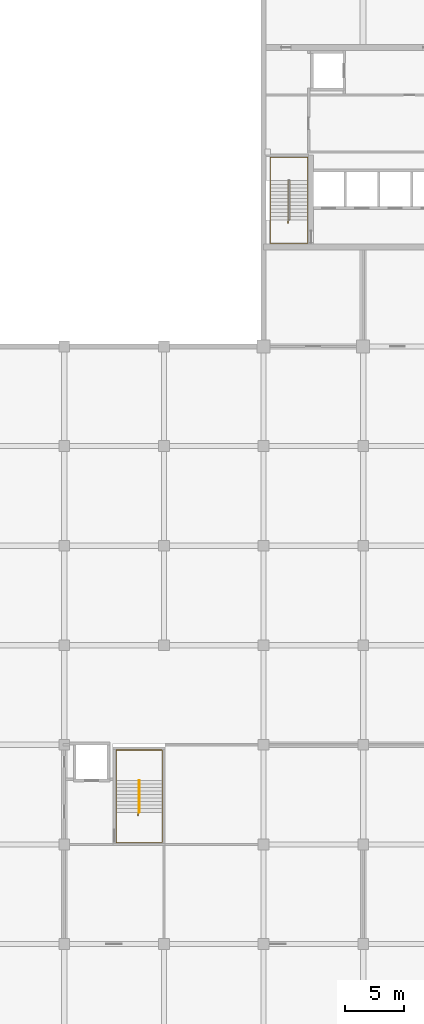
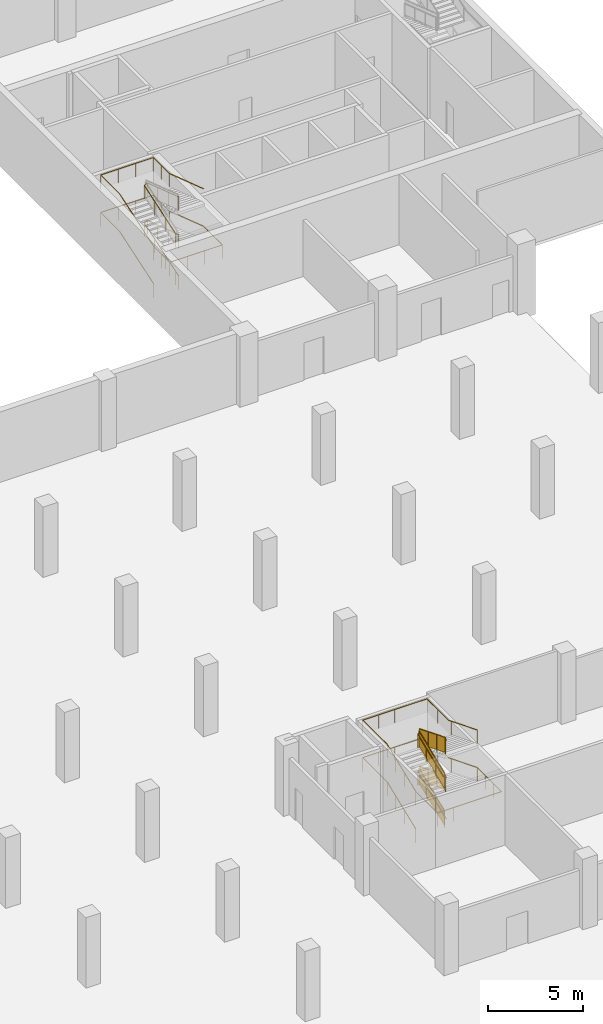
# One storey, part 11 of 13: 8 railings.
"""IFC4 building model written with IfcOpenShell, lengths in metres."""

from ifc_helpers import new_model, si_unit, direction, frame, origin, origin_2d, place, context, subcontext, project, spatial, polyline, circle, outline, extrude, material, type_object, element, save


model = new_model("IFC4")

# Units and contexts
model_context = context("Model", 3, precision=1e-05, world=origin(), true_north=direction((0.0, 1.0)))
body_context = subcontext(model_context, "Body", "Model", "MODEL_VIEW")
ifc_project = project(units=[si_unit("LENGTHUNIT", "METRE"), si_unit("AREAUNIT", "SQUARE_METRE"), si_unit("VOLUMEUNIT", "CUBIC_METRE"), si_unit("PLANEANGLEUNIT", "RADIAN"), si_unit("MASSUNIT", "GRAM", prefix="KILO")], contexts=[model_context])

# Site, building, storey
site_placement = place(None, origin())
site = spatial("IfcSite", under=ifc_project, at=site_placement, CompositionType="ELEMENT")
building_placement = place(site_placement, origin())
building = spatial("IfcBuilding", under=site, at=building_placement, Name="Rulbaag Community and Learning Centre", CompositionType="ELEMENT")
storey_placement = place(building_placement, frame((0.0, 0.0, -4.800048828125)))
storey = spatial("IfcBuildingStorey", under=building, at=storey_placement, Name="B1", CompositionType="ELEMENT", Elevation=-4.800048828125)

# Railings
ifc_material_1 = material(Name="Galvanised mild steel", Category="steel")
railing_type_1 = type_object("IfcRailingType", Name="GR-1100 GUARD 1100", PredefinedType="GUARDRAIL", material=ifc_material_1)
railing_1_placement = place(storey_placement, frame((132.280029296875, 44.71240234375, 0.1201171875)))
element("IfcRailing", 1, at=railing_1_placement, inside=storey, type_object=railing_type_1, Name="Guard SH3 B1 G", PredefinedType="GUARDRAIL", context=body_context, shape_type="SweptSolid", body=[
    extrude(circle(Radius=0.02490234375, at=origin_2d()), frame((0.0, 0.0, 1.0751953125), z_axis=(0.0, 0.928505636922, 0.371318303084), x_axis=(-1.0, 0.0, 0.0)), (0.0, 0.0, 1.0), 2.908203125),
    extrude(circle(Radius=0.02001953125, at=origin_2d()), origin(), (0.0, 0.0, 1.0), 1.050048828125),
    extrude(circle(Radius=0.02001953125, at=origin_2d()), frame((0.0, 0.900146484375, 0.35986328125)), (0.0, 0.0, 1.0), 1.050048828125),
    extrude(circle(Radius=0.02001953125, at=origin_2d()), frame((0.0, 1.800048828125, 0.719970703125)), (0.0, 0.0, 1.0), 1.050048828125),
    extrude(circle(Radius=0.02001953125, at=origin_2d()), frame((0.0, 2.7001953125, 1.079833984375)), (0.0, 0.0, 1.0), 1.050048828125),
    extrude(outline(polyline([(0.0, 0.0), (2.7001953125, 1.079833984375), (2.7001953125, 2.02978515625), (0.0, 0.949951171875), (0.0, 0.0)])), frame((-0.0048828125, 0.0, 0.10009765625), z_axis=(1.0, 0.0, 0.0), x_axis=(0.0, 1.0, 0.0)), (0.0, 0.0, 1.0), 0.010009765625),
])
railing_2_placement = place(storey_placement, frame((132.320068359375, 47.41259765625, 1.320068359375)))
element("IfcRailing", 2, at=railing_2_placement, inside=storey, type_object=railing_type_1, Name="Guard SH3 B1 G2", PredefinedType="GUARDRAIL", context=body_context, shape_type="SweptSolid", body=[
    extrude(circle(Radius=0.02490234375, at=origin_2d()), frame((0.0, 0.0, 1.0751953125), z_axis=(0.0, -0.928476690885, 0.371390676354), x_axis=(1.0, 0.0, 0.0)), (0.0, 0.0, 1.0), 2.908203125),
    extrude(circle(Radius=0.02001953125, at=origin_2d()), origin(), (0.0, 0.0, 1.0), 1.050048828125),
    extrude(circle(Radius=0.02001953125, at=origin_2d()), frame((0.0, -0.900146484375, 0.360107421875)), (0.0, 0.0, 1.0), 1.050048828125),
    extrude(circle(Radius=0.02001953125, at=origin_2d()), frame((0.0, -1.800048828125, 0.719970703125)), (0.0, 0.0, 1.0), 1.050048828125),
    extrude(circle(Radius=0.02001953125, at=origin_2d()), frame((0.0, -2.7001953125, 1.080078125)), (0.0, 0.0, 1.0), 1.050048828125),
    extrude(outline(polyline([(0.0, 0.0), (2.7001953125, 1.080078125), (2.7001953125, 2.030029296875), (0.0, 0.949951171875), (0.0, 0.0)])), frame((0.0048828125, 0.0, 0.10009765625), z_axis=(-1.0, 0.0, 0.0), x_axis=(0.0, -1.0, 0.0)), (0.0, 0.0, 1.0), 0.010009765625),
])
railing_3_placement = place(storey_placement, frame((132.280029296875, 44.71240234375, 2.52001953125)))
element("IfcRailing", 3, at=railing_3_placement, inside=storey, type_object=railing_type_1, Name="Guard SH3 B1 G3", PredefinedType="GUARDRAIL", context=body_context, shape_type="SweptSolid", body=[
    extrude(circle(Radius=0.02490234375, at=origin_2d()), frame((0.0, 0.0, 1.0751953125), z_axis=(0.0, 0.928476690885, 0.371390676354), x_axis=(-1.0, 0.0, 0.0)), (0.0, 0.0, 1.0), 2.908203125),
    extrude(circle(Radius=0.02001953125, at=origin_2d()), origin(), (0.0, 0.0, 1.0), 1.050048828125),
    extrude(circle(Radius=0.02001953125, at=origin_2d()), frame((0.0, 0.900146484375, 0.360107421875)), (0.0, 0.0, 1.0), 1.050048828125),
    extrude(circle(Radius=0.02001953125, at=origin_2d()), frame((0.0, 1.800048828125, 0.719970703125)), (0.0, 0.0, 1.0), 1.050048828125),
    extrude(circle(Radius=0.02001953125, at=origin_2d()), frame((0.0, 2.7001953125, 1.080078125)), (0.0, 0.0, 1.0), 1.050048828125),
    extrude(outline(polyline([(0.0, 0.0), (2.7001953125, 1.080078125), (2.7001953125, 2.030029296875), (0.0, 0.949951171875), (0.0, 0.0)])), frame((-0.0048828125, 0.0, 0.10009765625), z_axis=(1.0, 0.0, 0.0), x_axis=(0.0, 1.0, 0.0)), (0.0, 0.0, 1.0), 0.010009765625),
])
railing_4_placement = place(storey_placement, frame((132.320068359375, 47.41259765625, 3.719970703125)))
element("IfcRailing", 4, at=railing_4_placement, inside=storey, type_object=railing_type_1, Name="Guard SH3 B1 G4", PredefinedType="GUARDRAIL", context=body_context, shape_type="SweptSolid", body=[
    extrude(circle(Radius=0.02490234375, at=origin_2d()), frame((0.0, 0.0, 1.0751953125), z_axis=(0.0, -0.928476690885, 0.371390676354), x_axis=(1.0, 0.0, 0.0)), (0.0, 0.0, 1.0), 2.908203125),
    extrude(circle(Radius=0.02001953125, at=origin_2d()), origin(), (0.0, 0.0, 1.0), 1.050048828125),
    extrude(circle(Radius=0.02001953125, at=origin_2d()), frame((0.0, -0.900146484375, 0.360107421875)), (0.0, 0.0, 1.0), 1.050048828125),
    extrude(circle(Radius=0.02001953125, at=origin_2d()), frame((0.0, -1.800048828125, 0.719970703125)), (0.0, 0.0, 1.0), 1.050048828125),
    extrude(circle(Radius=0.02001953125, at=origin_2d()), frame((0.0, -2.7001953125, 1.080078125)), (0.0, 0.0, 1.0), 1.050048828125),
    extrude(outline(polyline([(0.0, 0.0), (2.7001953125, 1.080078125), (2.7001953125, 2.030029296875), (0.0, 0.949951171875), (0.0, 0.0)])), frame((0.0048828125, 0.0, 0.10009765625), z_axis=(-1.0, 0.0, 0.0), x_axis=(0.0, -1.0, 0.0)), (0.0, 0.0, 1.0), 0.010009765625),
])
ifc_material_2 = material(Name="Stainless steel grade 316", Category="steel")
railing_type_2 = type_object("IfcRailingType", Name="HR-900 HANDRAIL 900", PredefinedType="HANDRAIL", material=ifc_material_2)
railing_5_placement = place(storey_placement, frame((130.360107421875, 44.41259765625, 0.0)))
element("IfcRailing", 5, at=railing_5_placement, inside=storey, type_object=railing_type_2, Name="Handrail SH3 B1 O", PredefinedType="HANDRAIL", context=body_context, shape_type="SweptSolid", body=[
    extrude(circle(Radius=0.024169921875, at=origin_2d()), frame((0.0, 0.0, 0.875732421875), z_axis=(0.0, 0.928268015265, 0.371911940969), x_axis=(-1.0, 0.0, 0.0)), (0.0, 0.0, 1.0), 0.322998046875),
    extrude(circle(Radius=0.024169921875, at=origin_2d()), frame((0.0, 0.2998046875, 0.995849609375), z_axis=(0.0, 0.928505636922, 0.371318303084), x_axis=(-1.0, 0.0, 0.0)), (0.0, 0.0, 1.0), 2.908203125),
    extrude(circle(Radius=0.024169921875, at=origin_2d()), frame((0.0, 3.0, 2.07568359375), z_axis=(0.0, 1.0, 0.0), x_axis=(-1.0, 0.0, 0.0)), (0.0, 0.0, 1.0), 2.552490234375),
    extrude(circle(Radius=0.024169921875, at=origin_2d()), frame((0.0, 5.552490234375, 2.07568359375), z_axis=(1.0, 0.0, 0.0), x_axis=(0.0, 1.0, 0.0)), (0.0, 0.0, 1.0), 3.8798828125),
    extrude(circle(Radius=0.024169921875, at=origin_2d()), frame((3.8798828125, 5.552490234375, 2.07568359375), z_axis=(0.0, -1.0, 0.0), x_axis=(1.0, 0.0, 0.0)), (0.0, 0.0, 1.0), 2.252685546875),
    extrude(circle(Radius=0.024169921875, at=origin_2d()), frame((3.8798828125, 3.2998046875, 2.07568359375), z_axis=(0.0, -0.928268015265, 0.371911940969), x_axis=(1.0, 0.0, 0.0)), (0.0, 0.0, 1.0), 0.322998046875),
    extrude(circle(Radius=0.024169921875, at=origin_2d()), frame((3.8798828125, 3.0, 2.19580078125), z_axis=(0.0, -0.928476690885, 0.371390676354), x_axis=(1.0, 0.0, 0.0)), (0.0, 0.0, 1.0), 2.908203125),
    extrude(circle(Radius=0.024169921875, at=origin_2d()), frame((3.8798828125, 0.2998046875, 3.27587890625), z_axis=(0.0, -1.0, 0.0), x_axis=(1.0, 0.0, 0.0)), (0.0, 0.0, 1.0), 2.552490234375),
    extrude(circle(Radius=0.024169921875, at=origin_2d()), frame((3.8798828125, -2.252685546875, 3.27587890625), z_axis=(-1.0, 0.0, 0.0), x_axis=(0.0, -1.0, 0.0)), (0.0, 0.0, 1.0), 3.8798828125),
    extrude(circle(Radius=0.024169921875, at=origin_2d()), frame((0.0, -2.252685546875, 3.27587890625), z_axis=(0.0, 1.0, 0.0), x_axis=(-1.0, 0.0, 0.0)), (0.0, 0.0, 1.0), 2.252685546875),
    extrude(circle(Radius=0.024169921875, at=origin_2d()), frame((0.0, 0.0, 3.27587890625), z_axis=(0.0, 0.928528828696, 0.371260305285), x_axis=(-1.0, 0.0, 0.0)), (0.0, 0.0, 1.0), 0.322998046875),
    extrude(circle(Radius=0.024169921875, at=origin_2d()), frame((0.0, 0.2998046875, 3.395751953125), z_axis=(0.0, 0.928476690885, 0.371390676354), x_axis=(-1.0, 0.0, 0.0)), (0.0, 0.0, 1.0), 2.908203125),
    extrude(circle(Radius=0.024169921875, at=origin_2d()), frame((0.0, 3.0, 4.475830078125), z_axis=(0.0, 1.0, 0.0), x_axis=(-1.0, 0.0, 0.0)), (0.0, 0.0, 1.0), 2.552490234375),
    extrude(circle(Radius=0.024169921875, at=origin_2d()), frame((0.0, 5.552490234375, 4.475830078125), z_axis=(1.0, 0.0, 0.0), x_axis=(0.0, 1.0, 0.0)), (0.0, 0.0, 1.0), 3.8798828125),
    extrude(circle(Radius=0.024169921875, at=origin_2d()), frame((3.8798828125, 5.552490234375, 4.475830078125), z_axis=(0.0, -1.0, 0.0), x_axis=(1.0, 0.0, 0.0)), (0.0, 0.0, 1.0), 2.252685546875),
    extrude(circle(Radius=0.024169921875, at=origin_2d()), frame((3.8798828125, 3.2998046875, 4.475830078125), z_axis=(0.0, -0.928528828696, 0.371260305285), x_axis=(1.0, 0.0, 0.0)), (0.0, 0.0, 1.0), 0.322998046875),
    extrude(circle(Radius=0.024169921875, at=origin_2d()), frame((3.8798828125, 3.0, 4.595703125), z_axis=(0.0, -0.928476690885, 0.371390676354), x_axis=(1.0, 0.0, 0.0)), (0.0, 0.0, 1.0), 2.908203125),
    extrude(circle(Radius=0.008056640625, at=origin_2d()), origin(), (0.0, 0.0, 1.0), 0.8515625),
    extrude(circle(Radius=0.008056640625, at=origin_2d()), frame((0.0, 0.2998046875, 0.1201171875)), (0.0, 0.0, 1.0), 0.8515625),
    extrude(circle(Radius=0.008056640625, at=origin_2d()), frame((0.0, 1.199951171875, 0.47998046875)), (0.0, 0.0, 1.0), 0.8515625),
    extrude(circle(Radius=0.008056640625, at=origin_2d()), frame((0.0, 2.099853515625, 0.840087890625)), (0.0, 0.0, 1.0), 0.8515625),
    extrude(circle(Radius=0.008056640625, at=origin_2d()), frame((0.0, 3.0, 1.199951171875)), (0.0, 0.0, 1.0), 0.8515625),
    extrude(circle(Radius=0.008056640625, at=origin_2d()), frame((0.0, 3.850830078125, 1.199951171875)), (0.0, 0.0, 1.0), 0.8515625),
    extrude(circle(Radius=0.008056640625, at=origin_2d()), frame((0.0, 4.70166015625, 1.199951171875)), (0.0, 0.0, 1.0), 0.8515625),
    extrude(circle(Radius=0.008056640625, at=origin_2d()), frame((0.0, 5.552490234375, 1.199951171875)), (0.0, 0.0, 1.0), 0.8515625),
    extrude(circle(Radius=0.008056640625, at=origin_2d()), frame((0.969970703125, 5.552490234375, 1.199951171875)), (0.0, 0.0, 1.0), 0.8515625),
    extrude(circle(Radius=0.008056640625, at=origin_2d()), frame((1.93994140625, 5.552490234375, 1.199951171875)), (0.0, 0.0, 1.0), 0.8515625),
    extrude(circle(Radius=0.008056640625, at=origin_2d()), frame((2.909912109375, 5.552490234375, 1.199951171875)), (0.0, 0.0, 1.0), 0.8515625),
    extrude(circle(Radius=0.008056640625, at=origin_2d()), frame((3.8798828125, 5.552490234375, 1.199951171875)), (0.0, 0.0, 1.0), 0.8515625),
    extrude(circle(Radius=0.008056640625, at=origin_2d()), frame((3.8798828125, 4.42626953125, 1.199951171875)), (0.0, 0.0, 1.0), 0.8515625),
    extrude(circle(Radius=0.008056640625, at=origin_2d()), frame((3.8798828125, 3.2998046875, 1.199951171875)), (0.0, 0.0, 1.0), 0.8515625),
    extrude(circle(Radius=0.008056640625, at=origin_2d()), frame((3.8798828125, 3.0, 1.320068359375)), (0.0, 0.0, 1.0), 0.8515625),
    extrude(circle(Radius=0.008056640625, at=origin_2d()), frame((3.8798828125, 2.099853515625, 1.68017578125)), (0.0, 0.0, 1.0), 0.8515625),
    extrude(circle(Radius=0.008056640625, at=origin_2d()), frame((3.8798828125, 1.199951171875, 2.0400390625)), (0.0, 0.0, 1.0), 0.8515625),
    extrude(circle(Radius=0.008056640625, at=origin_2d()), frame((3.8798828125, 0.2998046875, 2.400146484375)), (0.0, 0.0, 1.0), 0.8515625),
    extrude(circle(Radius=0.008056640625, at=origin_2d()), frame((3.8798828125, -0.551025390625, 2.400146484375)), (0.0, 0.0, 1.0), 0.8515625),
    extrude(circle(Radius=0.008056640625, at=origin_2d()), frame((3.8798828125, -1.40185546875, 2.400146484375)), (0.0, 0.0, 1.0), 0.8515625),
    extrude(circle(Radius=0.008056640625, at=origin_2d()), frame((3.8798828125, -2.252685546875, 2.400146484375)), (0.0, 0.0, 1.0), 0.8515625),
    extrude(circle(Radius=0.008056640625, at=origin_2d()), frame((2.909912109375, -2.252685546875, 2.400146484375)), (0.0, 0.0, 1.0), 0.8515625),
    extrude(circle(Radius=0.008056640625, at=origin_2d()), frame((1.93994140625, -2.252685546875, 2.400146484375)), (0.0, 0.0, 1.0), 0.8515625),
    extrude(circle(Radius=0.008056640625, at=origin_2d()), frame((0.969970703125, -2.252685546875, 2.400146484375)), (0.0, 0.0, 1.0), 0.8515625),
    extrude(circle(Radius=0.008056640625, at=origin_2d()), frame((0.0, -2.252685546875, 2.400146484375)), (0.0, 0.0, 1.0), 0.8515625),
    extrude(circle(Radius=0.008056640625, at=origin_2d()), frame((0.0, -1.12646484375, 2.400146484375)), (0.0, 0.0, 1.0), 0.8515625),
    extrude(circle(Radius=0.008056640625, at=origin_2d()), frame((0.0, 0.0, 2.400146484375)), (0.0, 0.0, 1.0), 0.8515625),
    extrude(circle(Radius=0.008056640625, at=origin_2d()), frame((0.0, 0.2998046875, 2.52001953125)), (0.0, 0.0, 1.0), 0.8515625),
    extrude(circle(Radius=0.008056640625, at=origin_2d()), frame((0.0, 1.199951171875, 2.880126953125)), (0.0, 0.0, 1.0), 0.8515625),
    extrude(circle(Radius=0.008056640625, at=origin_2d()), frame((0.0, 2.099853515625, 3.239990234375)), (0.0, 0.0, 1.0), 0.8515625),
    extrude(circle(Radius=0.008056640625, at=origin_2d()), frame((0.0, 3.0, 3.60009765625)), (0.0, 0.0, 1.0), 0.8515625),
    extrude(circle(Radius=0.008056640625, at=origin_2d()), frame((0.0, 3.850830078125, 3.60009765625)), (0.0, 0.0, 1.0), 0.8515625),
    extrude(circle(Radius=0.008056640625, at=origin_2d()), frame((0.0, 4.70166015625, 3.60009765625)), (0.0, 0.0, 1.0), 0.8515625),
    extrude(circle(Radius=0.008056640625, at=origin_2d()), frame((0.0, 5.552490234375, 3.60009765625)), (0.0, 0.0, 1.0), 0.8515625),
    extrude(circle(Radius=0.008056640625, at=origin_2d()), frame((0.969970703125, 5.552490234375, 3.60009765625)), (0.0, 0.0, 1.0), 0.8515625),
    extrude(circle(Radius=0.008056640625, at=origin_2d()), frame((1.93994140625, 5.552490234375, 3.60009765625)), (0.0, 0.0, 1.0), 0.8515625),
    extrude(circle(Radius=0.008056640625, at=origin_2d()), frame((2.909912109375, 5.552490234375, 3.60009765625)), (0.0, 0.0, 1.0), 0.8515625),
    extrude(circle(Radius=0.008056640625, at=origin_2d()), frame((3.8798828125, 5.552490234375, 3.60009765625)), (0.0, 0.0, 1.0), 0.8515625),
    extrude(circle(Radius=0.008056640625, at=origin_2d()), frame((3.8798828125, 4.42626953125, 3.60009765625)), (0.0, 0.0, 1.0), 0.8515625),
    extrude(circle(Radius=0.008056640625, at=origin_2d()), frame((3.8798828125, 3.2998046875, 3.60009765625)), (0.0, 0.0, 1.0), 0.8515625),
    extrude(circle(Radius=0.008056640625, at=origin_2d()), frame((3.8798828125, 3.0, 3.719970703125)), (0.0, 0.0, 1.0), 0.8515625),
    extrude(circle(Radius=0.008056640625, at=origin_2d()), frame((3.8798828125, 2.099853515625, 4.080078125)), (0.0, 0.0, 1.0), 0.8515625),
    extrude(circle(Radius=0.008056640625, at=origin_2d()), frame((3.8798828125, 1.199951171875, 4.43994140625)), (0.0, 0.0, 1.0), 0.8515625),
    extrude(circle(Radius=0.008056640625, at=origin_2d()), frame((3.8798828125, 0.2998046875, 4.800048828125)), (0.0, 0.0, 1.0), 0.8515625),
])
railing_6_placement = place(storey_placement, frame((132.2099609375, 44.41259765625, 0.0)))
element("IfcRailing", 6, at=railing_6_placement, inside=storey, type_object=railing_type_2, Name="Handrail SH3 B1 I", PredefinedType="HANDRAIL", context=body_context, shape_type="SweptSolid", body=[
    extrude(circle(Radius=0.024169921875, at=origin_2d()), frame((0.0, 0.0, 0.875732421875), z_axis=(0.0, 0.928268015265, 0.371911940969), x_axis=(-1.0, 0.0, 0.0)), (0.0, 0.0, 1.0), 0.322998046875),
    extrude(circle(Radius=0.024169921875, at=origin_2d()), frame((0.0, 0.2998046875, 0.995849609375), z_axis=(0.0, 0.928505636922, 0.371318303084), x_axis=(-1.0, 0.0, 0.0)), (0.0, 0.0, 1.0), 2.908203125),
    extrude(circle(Radius=0.024169921875, at=origin_2d()), frame((0.0, 3.0, 2.07568359375), z_axis=(0.831702901217, 0.0, 0.555220932699), x_axis=(0.0, 1.0, 0.0)), (0.0, 0.0, 1.0), 0.21630859375),
    extrude(circle(Radius=0.024169921875, at=origin_2d()), frame((0.179931640625, 3.0, 2.19580078125), z_axis=(0.0, -0.928476690885, 0.371390676354), x_axis=(1.0, 0.0, 0.0)), (0.0, 0.0, 1.0), 2.908203125),
    extrude(circle(Radius=0.024169921875, at=origin_2d()), frame((0.179931640625, 0.2998046875, 3.27587890625), z_axis=(-0.832223977356, 0.0, 0.554439583286), x_axis=(0.0, -1.0, 0.0)), (0.0, 0.0, 1.0), 0.21630859375),
    extrude(circle(Radius=0.024169921875, at=origin_2d()), frame((0.0, 0.2998046875, 3.395751953125), z_axis=(0.0, 0.928476690885, 0.371390676354), x_axis=(-1.0, 0.0, 0.0)), (0.0, 0.0, 1.0), 2.908203125),
    extrude(circle(Radius=0.024169921875, at=origin_2d()), frame((0.0, 3.0, 4.475830078125), z_axis=(0.832223977356, 0.0, 0.554439583286), x_axis=(0.0, 1.0, 0.0)), (0.0, 0.0, 1.0), 0.21630859375),
    extrude(circle(Radius=0.024169921875, at=origin_2d()), frame((0.179931640625, 3.0, 4.595703125), z_axis=(0.0, -0.928476690885, 0.371390676354), x_axis=(1.0, 0.0, 0.0)), (0.0, 0.0, 1.0), 2.908203125),
    extrude(circle(Radius=0.008056640625, at=origin_2d()), origin(), (0.0, 0.0, 1.0), 0.8515625),
    extrude(circle(Radius=0.008056640625, at=origin_2d()), frame((0.0, 0.2998046875, 0.1201171875)), (0.0, 0.0, 1.0), 0.8515625),
    extrude(circle(Radius=0.008056640625, at=origin_2d()), frame((0.0, 1.199951171875, 0.47998046875)), (0.0, 0.0, 1.0), 0.8515625),
    extrude(circle(Radius=0.008056640625, at=origin_2d()), frame((0.0, 2.099853515625, 0.840087890625)), (0.0, 0.0, 1.0), 0.8515625),
    extrude(circle(Radius=0.008056640625, at=origin_2d()), frame((0.0, 3.0, 1.199951171875)), (0.0, 0.0, 1.0), 0.8515625),
    extrude(circle(Radius=0.008056640625, at=origin_2d()), frame((0.179931640625, 3.0, 1.320068359375)), (0.0, 0.0, 1.0), 0.8515625),
    extrude(circle(Radius=0.008056640625, at=origin_2d()), frame((0.179931640625, 2.099853515625, 1.68017578125)), (0.0, 0.0, 1.0), 0.8515625),
    extrude(circle(Radius=0.008056640625, at=origin_2d()), frame((0.179931640625, 1.199951171875, 2.0400390625)), (0.0, 0.0, 1.0), 0.8515625),
    extrude(circle(Radius=0.008056640625, at=origin_2d()), frame((0.179931640625, 0.2998046875, 2.400146484375)), (0.0, 0.0, 1.0), 0.8515625),
    extrude(circle(Radius=0.008056640625, at=origin_2d()), frame((0.0, 0.2998046875, 2.52001953125)), (0.0, 0.0, 1.0), 0.8515625),
    extrude(circle(Radius=0.008056640625, at=origin_2d()), frame((0.0, 1.199951171875, 2.880126953125)), (0.0, 0.0, 1.0), 0.8515625),
    extrude(circle(Radius=0.008056640625, at=origin_2d()), frame((0.0, 2.099853515625, 3.239990234375)), (0.0, 0.0, 1.0), 0.8515625),
    extrude(circle(Radius=0.008056640625, at=origin_2d()), frame((0.0, 3.0, 3.60009765625)), (0.0, 0.0, 1.0), 0.8515625),
    extrude(circle(Radius=0.008056640625, at=origin_2d()), frame((0.179931640625, 3.0, 3.719970703125)), (0.0, 0.0, 1.0), 0.8515625),
    extrude(circle(Radius=0.008056640625, at=origin_2d()), frame((0.179931640625, 2.099853515625, 4.080078125)), (0.0, 0.0, 1.0), 0.8515625),
    extrude(circle(Radius=0.008056640625, at=origin_2d()), frame((0.179931640625, 1.199951171875, 4.43994140625)), (0.0, 0.0, 1.0), 0.8515625),
    extrude(circle(Radius=0.008056640625, at=origin_2d()), frame((0.179931640625, 0.2998046875, 4.800048828125)), (0.0, 0.0, 1.0), 0.8515625),
])
railing_7_placement = place(storey_placement, frame((143.360107421875, 94.375, 0.0)))
element("IfcRailing", 7, at=railing_7_placement, inside=storey, type_object=railing_type_2, Name="Handrail ST1 B1 O", PredefinedType="HANDRAIL", context=body_context, shape_type="SweptSolid", body=[
    extrude(circle(Radius=0.024169921875, at=origin_2d()), frame((0.0, 0.0, 0.875732421875), z_axis=(0.0, 0.948606084593, 0.316459312191), x_axis=(-1.0, 0.0, 0.0)), (0.0, 0.0, 1.0), 0.31640625),
    extrude(circle(Radius=0.024169921875, at=origin_2d()), frame((0.0, 0.300048828125, 0.975830078125), z_axis=(0.0, 0.948697334215, 0.316185654408), x_axis=(-1.0, 0.0, 0.0)), (0.0, 0.0, 1.0), 3.478515625),
    extrude(circle(Radius=0.024169921875, at=origin_2d()), frame((0.0, 3.60009765625, 2.07568359375), z_axis=(0.0, 1.0, 0.0), x_axis=(-1.0, 0.0, 0.0)), (0.0, 0.0, 1.0), 1.96484375),
    extrude(circle(Radius=0.024169921875, at=origin_2d()), frame((0.0, 5.56494140625, 2.07568359375), z_axis=(1.0, 0.0, 0.0), x_axis=(0.0, 1.0, 0.0)), (0.0, 0.0, 1.0), 3.179931640625),
    extrude(circle(Radius=0.024169921875, at=origin_2d()), frame((3.179931640625, 5.56494140625, 2.07568359375), z_axis=(0.0, -1.0, 0.0), x_axis=(1.0, 0.0, 0.0)), (0.0, 0.0, 1.0), 1.6650390625),
    extrude(circle(Radius=0.024169921875, at=origin_2d()), frame((3.179931640625, 3.89990234375, 2.07568359375), z_axis=(0.0, -0.948528701346, 0.316691178788), x_axis=(1.0, 0.0, 0.0)), (0.0, 0.0, 1.0), 0.316162109375),
    extrude(circle(Radius=0.024169921875, at=origin_2d()), frame((3.179931640625, 3.60009765625, 2.17578125), z_axis=(0.0, -0.948676279423, 0.31624882112), x_axis=(1.0, 0.0, 0.0)), (0.0, 0.0, 1.0), 3.478515625),
    extrude(circle(Radius=0.024169921875, at=origin_2d()), frame((3.179931640625, 0.300048828125, 3.27587890625), z_axis=(0.0, -1.0, 0.0), x_axis=(1.0, 0.0, 0.0)), (0.0, 0.0, 1.0), 1.965087890625),
    extrude(circle(Radius=0.024169921875, at=origin_2d()), frame((3.179931640625, -1.6650390625, 3.27587890625), z_axis=(-1.0, 0.0, 0.0), x_axis=(0.0, -1.0, 0.0)), (0.0, 0.0, 1.0), 3.179931640625),
    extrude(circle(Radius=0.024169921875, at=origin_2d()), frame((0.0, -1.6650390625, 3.27587890625), z_axis=(0.0, 1.0, 0.0), x_axis=(-1.0, 0.0, 0.0)), (0.0, 0.0, 1.0), 1.6650390625),
    extrude(circle(Radius=0.024169921875, at=origin_2d()), frame((0.0, 0.0, 3.27587890625), z_axis=(0.0, 0.948837593029, 0.315764504108), x_axis=(-1.0, 0.0, 0.0)), (0.0, 0.0, 1.0), 0.316162109375),
    extrude(circle(Radius=0.024169921875, at=origin_2d()), frame((0.0, 0.300048828125, 3.375732421875), z_axis=(0.0, 0.948676279423, 0.31624882112), x_axis=(-1.0, 0.0, 0.0)), (0.0, 0.0, 1.0), 3.478515625),
    extrude(circle(Radius=0.024169921875, at=origin_2d()), frame((0.0, 3.60009765625, 4.475830078125), z_axis=(0.0, 1.0, 0.0), x_axis=(-1.0, 0.0, 0.0)), (0.0, 0.0, 1.0), 1.96484375),
    extrude(circle(Radius=0.024169921875, at=origin_2d()), frame((0.0, 5.56494140625, 4.475830078125), z_axis=(1.0, 0.0, 0.0), x_axis=(0.0, 1.0, 0.0)), (0.0, 0.0, 1.0), 3.179931640625),
    extrude(circle(Radius=0.024169921875, at=origin_2d()), frame((3.179931640625, 5.56494140625, 4.475830078125), z_axis=(0.0, -1.0, 0.0), x_axis=(1.0, 0.0, 0.0)), (0.0, 0.0, 1.0), 1.6650390625),
    extrude(circle(Radius=0.024169921875, at=origin_2d()), frame((3.179931640625, 3.89990234375, 4.475830078125), z_axis=(0.0, -0.948760530366, 0.31599597469), x_axis=(1.0, 0.0, 0.0)), (0.0, 0.0, 1.0), 0.31591796875),
    extrude(circle(Radius=0.024169921875, at=origin_2d()), frame((3.179931640625, 3.60009765625, 4.57568359375), z_axis=(0.0, -0.948676279423, 0.31624882112), x_axis=(1.0, 0.0, 0.0)), (0.0, 0.0, 1.0), 3.478515625),
    extrude(circle(Radius=0.008056640625, at=origin_2d()), origin(), (0.0, 0.0, 1.0), 0.8515625),
    extrude(circle(Radius=0.008056640625, at=origin_2d()), frame((0.0, 0.300048828125, 0.10009765625)), (0.0, 0.0, 1.0), 0.8515625),
    extrude(circle(Radius=0.008056640625, at=origin_2d()), frame((0.0, 1.400146484375, 0.466796875)), (0.0, 0.0, 1.0), 0.8515625),
    extrude(circle(Radius=0.008056640625, at=origin_2d()), frame((0.0, 2.5, 0.833251953125)), (0.0, 0.0, 1.0), 0.8515625),
    extrude(circle(Radius=0.008056640625, at=origin_2d()), frame((0.0, 3.60009765625, 1.199951171875)), (0.0, 0.0, 1.0), 0.8515625),
    extrude(circle(Radius=0.008056640625, at=origin_2d()), frame((0.0, 4.58251953125, 1.199951171875)), (0.0, 0.0, 1.0), 0.8515625),
    extrude(circle(Radius=0.008056640625, at=origin_2d()), frame((0.0, 5.56494140625, 1.199951171875)), (0.0, 0.0, 1.0), 0.8515625),
    extrude(circle(Radius=0.008056640625, at=origin_2d()), frame((1.06005859375, 5.56494140625, 1.199951171875)), (0.0, 0.0, 1.0), 0.8515625),
    extrude(circle(Radius=0.008056640625, at=origin_2d()), frame((2.119873046875, 5.56494140625, 1.199951171875)), (0.0, 0.0, 1.0), 0.8515625),
    extrude(circle(Radius=0.008056640625, at=origin_2d()), frame((3.179931640625, 5.56494140625, 1.199951171875)), (0.0, 0.0, 1.0), 0.8515625),
    extrude(circle(Radius=0.008056640625, at=origin_2d()), frame((3.179931640625, 4.732421875, 1.199951171875)), (0.0, 0.0, 1.0), 0.8515625),
    extrude(circle(Radius=0.008056640625, at=origin_2d()), frame((3.179931640625, 3.89990234375, 1.199951171875)), (0.0, 0.0, 1.0), 0.8515625),
    extrude(circle(Radius=0.008056640625, at=origin_2d()), frame((3.179931640625, 3.60009765625, 1.300048828125)), (0.0, 0.0, 1.0), 0.8515625),
    extrude(circle(Radius=0.008056640625, at=origin_2d()), frame((3.179931640625, 2.5, 1.666748046875)), (0.0, 0.0, 1.0), 0.8515625),
    extrude(circle(Radius=0.008056640625, at=origin_2d()), frame((3.179931640625, 1.400146484375, 2.033447265625)), (0.0, 0.0, 1.0), 0.8515625),
    extrude(circle(Radius=0.008056640625, at=origin_2d()), frame((3.179931640625, 0.300048828125, 2.400146484375)), (0.0, 0.0, 1.0), 0.8515625),
    extrude(circle(Radius=0.008056640625, at=origin_2d()), frame((3.179931640625, -0.6826171875, 2.400146484375)), (0.0, 0.0, 1.0), 0.8515625),
    extrude(circle(Radius=0.008056640625, at=origin_2d()), frame((3.179931640625, -1.6650390625, 2.400146484375)), (0.0, 0.0, 1.0), 0.8515625),
    extrude(circle(Radius=0.008056640625, at=origin_2d()), frame((2.119873046875, -1.6650390625, 2.400146484375)), (0.0, 0.0, 1.0), 0.8515625),
    extrude(circle(Radius=0.008056640625, at=origin_2d()), frame((1.06005859375, -1.6650390625, 2.400146484375)), (0.0, 0.0, 1.0), 0.8515625),
    extrude(circle(Radius=0.008056640625, at=origin_2d()), frame((0.0, -1.6650390625, 2.400146484375)), (0.0, 0.0, 1.0), 0.8515625),
    extrude(circle(Radius=0.008056640625, at=origin_2d()), frame((0.0, -0.83251953125, 2.400146484375)), (0.0, 0.0, 1.0), 0.8515625),
    extrude(circle(Radius=0.008056640625, at=origin_2d()), frame((0.0, 0.0, 2.400146484375)), (0.0, 0.0, 1.0), 0.8515625),
    extrude(circle(Radius=0.008056640625, at=origin_2d()), frame((0.0, 0.300048828125, 2.5)), (0.0, 0.0, 1.0), 0.8515625),
    extrude(circle(Radius=0.008056640625, at=origin_2d()), frame((0.0, 1.400146484375, 2.86669921875)), (0.0, 0.0, 1.0), 0.8515625),
    extrude(circle(Radius=0.008056640625, at=origin_2d()), frame((0.0, 2.5, 3.2333984375)), (0.0, 0.0, 1.0), 0.8515625),
    extrude(circle(Radius=0.008056640625, at=origin_2d()), frame((0.0, 3.60009765625, 3.60009765625)), (0.0, 0.0, 1.0), 0.8515625),
    extrude(circle(Radius=0.008056640625, at=origin_2d()), frame((0.0, 4.58251953125, 3.60009765625)), (0.0, 0.0, 1.0), 0.8515625),
    extrude(circle(Radius=0.008056640625, at=origin_2d()), frame((0.0, 5.56494140625, 3.60009765625)), (0.0, 0.0, 1.0), 0.8515625),
    extrude(circle(Radius=0.008056640625, at=origin_2d()), frame((1.06005859375, 5.56494140625, 3.60009765625)), (0.0, 0.0, 1.0), 0.8515625),
    extrude(circle(Radius=0.008056640625, at=origin_2d()), frame((2.119873046875, 5.56494140625, 3.60009765625)), (0.0, 0.0, 1.0), 0.8515625),
    extrude(circle(Radius=0.008056640625, at=origin_2d()), frame((3.179931640625, 5.56494140625, 3.60009765625)), (0.0, 0.0, 1.0), 0.8515625),
    extrude(circle(Radius=0.008056640625, at=origin_2d()), frame((3.179931640625, 4.732421875, 3.60009765625)), (0.0, 0.0, 1.0), 0.8515625),
    extrude(circle(Radius=0.008056640625, at=origin_2d()), frame((3.179931640625, 3.89990234375, 3.60009765625)), (0.0, 0.0, 1.0), 0.8515625),
    extrude(circle(Radius=0.008056640625, at=origin_2d()), frame((3.179931640625, 3.60009765625, 3.699951171875)), (0.0, 0.0, 1.0), 0.8515625),
    extrude(circle(Radius=0.008056640625, at=origin_2d()), frame((3.179931640625, 2.5, 4.066650390625)), (0.0, 0.0, 1.0), 0.8515625),
    extrude(circle(Radius=0.008056640625, at=origin_2d()), frame((3.179931640625, 1.400146484375, 4.433349609375)), (0.0, 0.0, 1.0), 0.8515625),
    extrude(circle(Radius=0.008056640625, at=origin_2d()), frame((3.179931640625, 0.300048828125, 4.800048828125)), (0.0, 0.0, 1.0), 0.8515625),
])
railing_8_placement = place(storey_placement, frame((144.860107421875, 94.375, 0.0)))
element("IfcRailing", 8, at=railing_8_placement, inside=storey, type_object=railing_type_2, Name="Handrail ST1 B1 I", PredefinedType="HANDRAIL", context=body_context, shape_type="SweptSolid", body=[
    extrude(circle(Radius=0.024169921875, at=origin_2d()), frame((0.0, 0.0, 0.875732421875), z_axis=(0.0, 0.948606084593, 0.316459312191), x_axis=(-1.0, 0.0, 0.0)), (0.0, 0.0, 1.0), 0.31640625),
    extrude(circle(Radius=0.024169921875, at=origin_2d()), frame((0.0, 0.300048828125, 0.975830078125), z_axis=(0.0, 0.948697334215, 0.316185654408), x_axis=(-1.0, 0.0, 0.0)), (0.0, 0.0, 1.0), 3.478515625),
    extrude(circle(Radius=0.024169921875, at=origin_2d()), frame((0.0, 3.60009765625, 2.07568359375), z_axis=(0.873877479659, 0.0, 0.486146223419), x_axis=(0.0, 1.0, 0.0)), (0.0, 0.0, 1.0), 0.205810546875),
    extrude(circle(Radius=0.024169921875, at=origin_2d()), frame((0.179931640625, 3.60009765625, 2.17578125), z_axis=(0.0, -0.948676279423, 0.31624882112), x_axis=(1.0, 0.0, 0.0)), (0.0, 0.0, 1.0), 3.478515625),
    extrude(circle(Radius=0.024169921875, at=origin_2d()), frame((0.179931640625, 0.300048828125, 3.27587890625), z_axis=(-0.874381033399, 0.0, 0.485239949336), x_axis=(0.0, -1.0, 0.0)), (0.0, 0.0, 1.0), 0.205810546875),
    extrude(circle(Radius=0.024169921875, at=origin_2d()), frame((0.0, 0.300048828125, 3.375732421875), z_axis=(0.0, 0.948676279423, 0.31624882112), x_axis=(-1.0, 0.0, 0.0)), (0.0, 0.0, 1.0), 3.478515625),
    extrude(circle(Radius=0.024169921875, at=origin_2d()), frame((0.0, 3.60009765625, 4.475830078125), z_axis=(0.874381033399, 0.0, 0.485239949336), x_axis=(0.0, 1.0, 0.0)), (0.0, 0.0, 1.0), 0.205810546875),
    extrude(circle(Radius=0.024169921875, at=origin_2d()), frame((0.179931640625, 3.60009765625, 4.57568359375), z_axis=(0.0, -0.948676279423, 0.31624882112), x_axis=(1.0, 0.0, 0.0)), (0.0, 0.0, 1.0), 3.478515625),
    extrude(circle(Radius=0.008056640625, at=origin_2d()), origin(), (0.0, 0.0, 1.0), 0.8515625),
    extrude(circle(Radius=0.008056640625, at=origin_2d()), frame((0.0, 0.300048828125, 0.10009765625)), (0.0, 0.0, 1.0), 0.8515625),
    extrude(circle(Radius=0.008056640625, at=origin_2d()), frame((0.0, 1.400146484375, 0.466796875)), (0.0, 0.0, 1.0), 0.8515625),
    extrude(circle(Radius=0.008056640625, at=origin_2d()), frame((0.0, 2.5, 0.833251953125)), (0.0, 0.0, 1.0), 0.8515625),
    extrude(circle(Radius=0.008056640625, at=origin_2d()), frame((0.0, 3.60009765625, 1.199951171875)), (0.0, 0.0, 1.0), 0.8515625),
    extrude(circle(Radius=0.008056640625, at=origin_2d()), frame((0.179931640625, 3.60009765625, 1.300048828125)), (0.0, 0.0, 1.0), 0.8515625),
    extrude(circle(Radius=0.008056640625, at=origin_2d()), frame((0.179931640625, 2.5, 1.666748046875)), (0.0, 0.0, 1.0), 0.8515625),
    extrude(circle(Radius=0.008056640625, at=origin_2d()), frame((0.179931640625, 1.400146484375, 2.033447265625)), (0.0, 0.0, 1.0), 0.8515625),
    extrude(circle(Radius=0.008056640625, at=origin_2d()), frame((0.179931640625, 0.300048828125, 2.400146484375)), (0.0, 0.0, 1.0), 0.8515625),
    extrude(circle(Radius=0.008056640625, at=origin_2d()), frame((0.0, 0.300048828125, 2.5)), (0.0, 0.0, 1.0), 0.8515625),
    extrude(circle(Radius=0.008056640625, at=origin_2d()), frame((0.0, 1.400146484375, 2.86669921875)), (0.0, 0.0, 1.0), 0.8515625),
    extrude(circle(Radius=0.008056640625, at=origin_2d()), frame((0.0, 2.5, 3.2333984375)), (0.0, 0.0, 1.0), 0.8515625),
    extrude(circle(Radius=0.008056640625, at=origin_2d()), frame((0.0, 3.60009765625, 3.60009765625)), (0.0, 0.0, 1.0), 0.8515625),
    extrude(circle(Radius=0.008056640625, at=origin_2d()), frame((0.179931640625, 3.60009765625, 3.699951171875)), (0.0, 0.0, 1.0), 0.8515625),
    extrude(circle(Radius=0.008056640625, at=origin_2d()), frame((0.179931640625, 2.5, 4.066650390625)), (0.0, 0.0, 1.0), 0.8515625),
    extrude(circle(Radius=0.008056640625, at=origin_2d()), frame((0.179931640625, 1.400146484375, 4.433349609375)), (0.0, 0.0, 1.0), 0.8515625),
    extrude(circle(Radius=0.008056640625, at=origin_2d()), frame((0.179931640625, 0.300048828125, 4.800048828125)), (0.0, 0.0, 1.0), 0.8515625),
])

save(model, "model.ifc")
